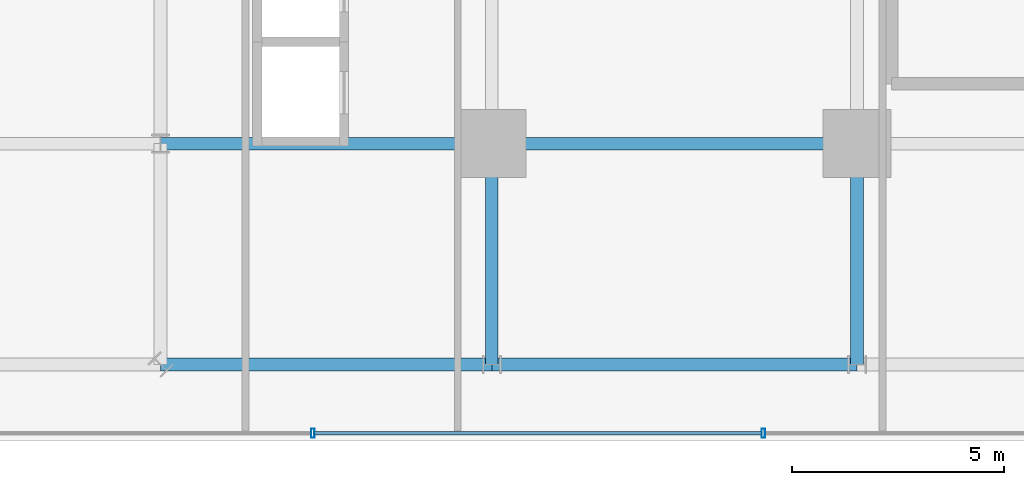
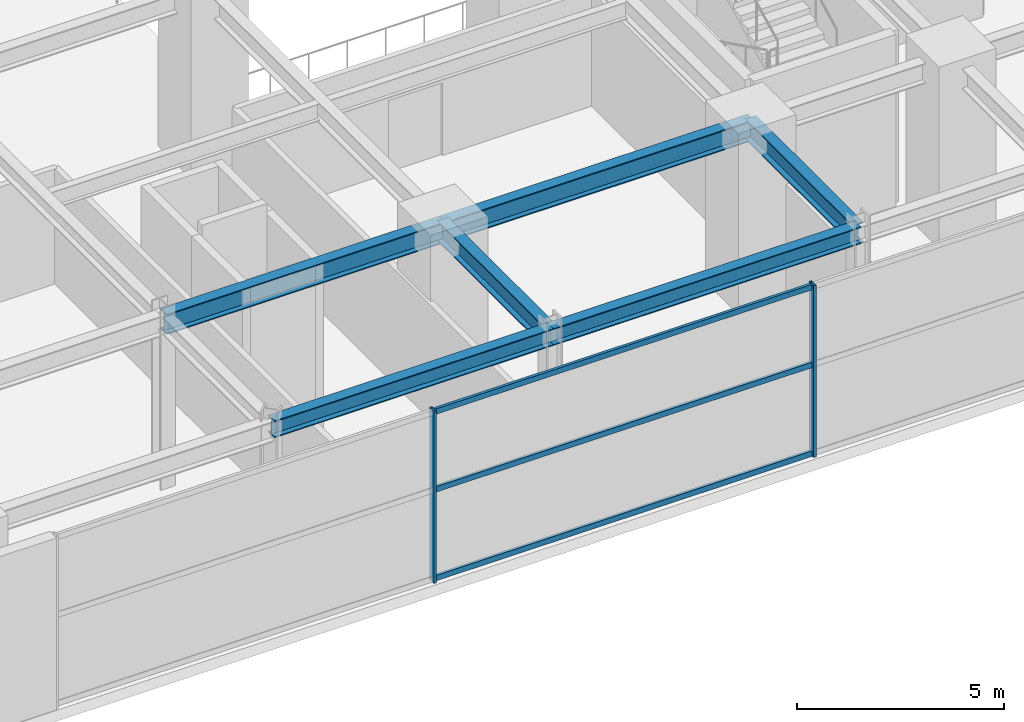
# One storey, part 6 of 32: 6 beams, 5 members, 1 element without a shape of its own.
"""IFC4 building model written with IfcOpenShell, lengths in metres."""

from ifc_helpers import new_model, si_unit, direction, frame, origin, origin_2d, place, context, subcontext, project, spatial, hollow_rectangle, i_section, extrude, source, transform, mapped, material, material_profile, profile_set, type_object, element, aggregate, save


model = new_model("IFC4")

# Units and contexts
model_context = context("Model", 3, precision=1e-05, world=origin(), true_north=direction((0.0, 1.0)))
body_context = subcontext(model_context, "Body", "Model", "MODEL_VIEW")
ifc_project = project(units=[si_unit("LENGTHUNIT", "METRE"), si_unit("AREAUNIT", "SQUARE_METRE"), si_unit("VOLUMEUNIT", "CUBIC_METRE"), si_unit("PLANEANGLEUNIT", "RADIAN"), si_unit("MASSUNIT", "GRAM", prefix="KILO")], contexts=[model_context])

# Site, building, storey
site_placement = place(None, origin())
site = spatial("IfcSite", under=ifc_project, at=site_placement, CompositionType="ELEMENT")
building_placement = place(site_placement, origin())
building = spatial("IfcBuilding", under=site, at=building_placement, Name="Nahalor Promenade Grand Hotel", CompositionType="ELEMENT")
storey_placement = place(building_placement, frame((0.0, 0.0, 5.39990234375)))
storey = spatial("IfcBuildingStorey", under=building, at=storey_placement, Name="L01", CompositionType="ELEMENT", Elevation=5.39990234375)

# Beams
ifc_material_1 = material(Name="Steel S355JR", Category="steel")
ifc_material_profile_1 = material_profile(ifc_material_1, i_section(OverallWidth=0.3, OverallDepth=0.6, WebThickness=0.0155, FlangeThickness=0.03, at=origin_2d()), Name="HEB 600")
ifc_profile_set_1 = profile_set([ifc_material_profile_1], Name="Steel S355JR")
beam_type_1 = type_object("IfcBeamType", Name="Beam-Girder-HEB600", PredefinedType="BEAM", material=ifc_profile_set_1)
shared_shape_1 = source(origin(), body_context, "Body", "SweptSolid", [
    extrude(i_section(OverallWidth=0.3, OverallDepth=0.6, WebThickness=0.0155, FlangeThickness=0.03, at=origin_2d()), origin(), (0.0, 0.0, 1.0), 7.800048828125),
])
beam_1_placement = place(storey_placement, frame((-24.800048828125, -17.0, 4.780029296875), z_axis=(1.0, 0.0, 0.0), x_axis=(0.0, 1.0, 0.0)))
element("IfcBeam", 1, at=beam_1_placement, inside=storey, type_object=beam_type_1, Name="BM-L01-GX-0-1", PredefinedType="BEAM", context=body_context, shape_type="MappedRepresentation", body=[
    mapped(shared_shape_1, transform((0.0, 0.0, 0.0), scale=1.0)),
])
shared_shape_2 = source(origin(), body_context, "Body", "SweptSolid", [
    extrude(i_section(OverallWidth=0.3, OverallDepth=0.6, WebThickness=0.0155, FlangeThickness=0.03, at=origin_2d()), origin(), (0.0, 0.0, 1.0), 8.60009765625),
])
beam_2_placement = place(storey_placement, frame((-17.0, -17.0, 4.780029296875), z_axis=(1.0, 0.0, 0.0), x_axis=(0.0, 1.0, 0.0)))
element("IfcBeam", 2, at=beam_2_placement, inside=storey, type_object=beam_type_1, Name="BM-L01-GX-0-2", PredefinedType="BEAM", context=body_context, shape_type="MappedRepresentation", body=[
    mapped(shared_shape_2, transform((0.0, 0.0, 0.0), scale=1.0)),
])
shared_shape_3 = source(origin(), body_context, "Body", "SweptSolid", [
    extrude(i_section(OverallWidth=0.3, OverallDepth=0.6, WebThickness=0.0155, FlangeThickness=0.03, at=origin_2d()), origin(), (0.0, 0.0, 1.0), 5.199951171875),
])
for number, where, z_axis, x_axis, name in (
    (3, (-17.0, -22.199951171875, 4.780029296875), (0.0, 1.0, 0.0), (-1.0, 0.0, 0.0), "BM-L01-GY-0-0"),
    (4, (-8.39990234375, -22.199951171875, 4.780029296875), (0.0, 1.0, 0.0), (-1.0, 0.0, 0.0), "BM-L01-GY-1-0"),
):
    element("IfcBeam", number, at=place(storey_placement, frame(where, z_axis=z_axis, x_axis=x_axis)), inside=storey, type_object=beam_type_1, Name=name, PredefinedType="BEAM", context=body_context, shape_type="MappedRepresentation", body=[
        mapped(shared_shape_3, transform((0.0, 0.0, 0.0), scale=1.0)),
    ])
ifc_material_profile_2 = material_profile(ifc_material_1, i_section(OverallWidth=0.3, OverallDepth=0.5, WebThickness=0.0145, FlangeThickness=0.028, at=origin_2d()), Name="HEB 500")
ifc_profile_set_2 = profile_set([ifc_material_profile_2], Name="Steel S355JR")
beam_type_2 = type_object("IfcBeamType", Name="Beam-Spandrel-HEB500", PredefinedType="SPANDREL", material=ifc_profile_set_2)
shared_shape_4 = source(origin(), body_context, "Body", "SweptSolid", [
    extrude(i_section(OverallWidth=0.3, OverallDepth=0.5, WebThickness=0.0145, FlangeThickness=0.028, at=origin_2d()), origin(), (0.0, 0.0, 1.0), 8.60009765625),
])
beam_3_placement = place(storey_placement, frame((-17.0, -22.199951171875, 4.830078125), z_axis=(1.0, 0.0, 0.0), x_axis=(0.0, 1.0, 0.0)))
element("IfcBeam", 5, at=beam_3_placement, inside=storey, type_object=beam_type_2, Name="BM-L01-SP-S-0", PredefinedType="SPANDREL", context=body_context, shape_type="MappedRepresentation", body=[
    mapped(shared_shape_4, transform((0.0, 0.0, 0.0), scale=1.0)),
])
shared_shape_5 = source(origin(), body_context, "Body", "SweptSolid", [
    extrude(i_section(OverallWidth=0.3, OverallDepth=0.5, WebThickness=0.0145, FlangeThickness=0.028, at=origin_2d()), origin(), (0.0, 0.0, 1.0), 7.800048828125),
])
beam_4_placement = place(storey_placement, frame((-17.0, -22.199951171875, 4.830078125), z_axis=(-1.0, 0.0, 0.0), x_axis=(0.0, -1.0, 0.0)))
element("IfcBeam", 6, at=beam_4_placement, inside=storey, type_object=beam_type_2, Name="BM-L01-SPC-SW-1", PredefinedType="SPANDREL", context=body_context, shape_type="MappedRepresentation", body=[
    mapped(shared_shape_5, transform((0.0, 0.0, 0.0), scale=1.0)),
])

# Curtain wall, members
ifc_material_2 = material(Name="Anodised Bronze Aluminium EN AW-6063 T6", Category="aluminium")
curtain_wall_type = type_object("IfcCurtainWallType", Name="CW1 Waterfront Podium Bronze Arcade Curtain Wall", PredefinedType="USERDEFINED", material=ifc_material_2)
curtain_wall_placement = place(storey_placement, origin())
curtain_wall = element("IfcCurtainWall", 7, at=curtain_wall_placement, inside=storey, type_object=curtain_wall_type, Name="L01 Curtain Wall CW-L01-S", ObjectType="UNITISED_CURTAIN_WALL", PredefinedType="USERDEFINED")
ifc_material_profile_3 = material_profile(ifc_material_2, hollow_rectangle(XDim=0.08, YDim=0.22, WallThickness=0.005, at=origin_2d()), Name="CWM 80x220x5")
ifc_profile_set_3 = profile_set([ifc_material_profile_3], Name="Anodised Bronze Aluminium EN AW-6063 T6")
member_type_1 = type_object("IfcMemberType", Name="CWM1 Podium Bronze Mullion 80x220", PredefinedType="MULLION", material=ifc_profile_set_3)
shared_shape_6 = source(origin(), body_context, "Body", "SweptSolid", [
    extrude(hollow_rectangle(XDim=0.08, YDim=0.22, WallThickness=0.005, at=origin_2d()), origin(), (0.0, 0.0, 1.0), 5.080078125),
])
member_1_placement = place(storey_placement, frame((-21.21337890625, -23.820068359375, 0.0), z_axis=(0.0, 0.0, 1.0), x_axis=(1.0, 0.0, 0.0)))
member_1 = element("IfcMember", 8, at=member_1_placement, type_object=member_type_1, Name="CW-L01-S Mullion 1", PredefinedType="MULLION", context=body_context, shape_type="MappedRepresentation", body=[
    mapped(shared_shape_6, transform((0.0, 0.0, 0.0), scale=1.0)),
])
member_2_placement = place(storey_placement, frame((-10.606689453125, -23.820068359375, 0.0), z_axis=(0.0, 0.0, 1.0), x_axis=(1.0, 0.0, 0.0)))
member_2 = element("IfcMember", 9, at=member_2_placement, type_object=member_type_1, Name="CW-L01-S Mullion 2", PredefinedType="MULLION", context=body_context, shape_type="MappedRepresentation", body=[
    mapped(shared_shape_6, transform((0.0, 0.0, 0.0), scale=1.0)),
])
ifc_material_profile_4 = material_profile(ifc_material_2, hollow_rectangle(XDim=0.08, YDim=0.16, WallThickness=0.004, at=origin_2d()), Name="CWT 80x160x4")
ifc_profile_set_4 = profile_set([ifc_material_profile_4], Name="Anodised Bronze Aluminium EN AW-6063 T6")
member_type_2 = type_object("IfcMemberType", Name="CWT1 Podium Bronze Transom 80x160", PredefinedType="USERDEFINED", material=ifc_profile_set_4)
shared_shape_7 = source(origin(), body_context, "Body", "SweptSolid", [
    extrude(hollow_rectangle(XDim=0.08, YDim=0.16, WallThickness=0.004, at=origin_2d()), origin(), (0.0, 0.0, 1.0), 10.526611328125),
])
member_3_placement = place(storey_placement, frame((-21.17333984375, -23.820068359375, 0.080078125), z_axis=(1.0, 0.0, 0.0), x_axis=(0.0, 1.0, 0.0)))
member_3 = element("IfcMember", 10, at=member_3_placement, type_object=member_type_2, Name="CW-L01-S Transom 1-0", ObjectType="TRANSOM", PredefinedType="USERDEFINED", context=body_context, shape_type="MappedRepresentation", body=[
    mapped(shared_shape_7, transform((0.0, 0.0, 0.0), scale=1.0)),
])
member_4_placement = place(storey_placement, frame((-21.17333984375, -23.820068359375, 2.7001953125), z_axis=(1.0, 0.0, 0.0), x_axis=(0.0, 1.0, 0.0)))
member_4 = element("IfcMember", 11, at=member_4_placement, type_object=member_type_2, Name="CW-L01-S Transom 1-1", ObjectType="TRANSOM", PredefinedType="USERDEFINED", context=body_context, shape_type="MappedRepresentation", body=[
    mapped(shared_shape_7, transform((0.0, 0.0, 0.0), scale=1.0)),
])
member_5_placement = place(storey_placement, frame((-21.17333984375, -23.820068359375, 5.0), z_axis=(1.0, 0.0, 0.0), x_axis=(0.0, 1.0, 0.0)))
member_5 = element("IfcMember", 12, at=member_5_placement, type_object=member_type_2, Name="CW-L01-S Transom 1-2", ObjectType="TRANSOM", PredefinedType="USERDEFINED", context=body_context, shape_type="MappedRepresentation", body=[
    mapped(shared_shape_7, transform((0.0, 0.0, 0.0), scale=1.0)),
])
aggregate(curtain_wall, [member_1, member_2, member_3, member_4, member_5])

save(model, "model.ifc")
